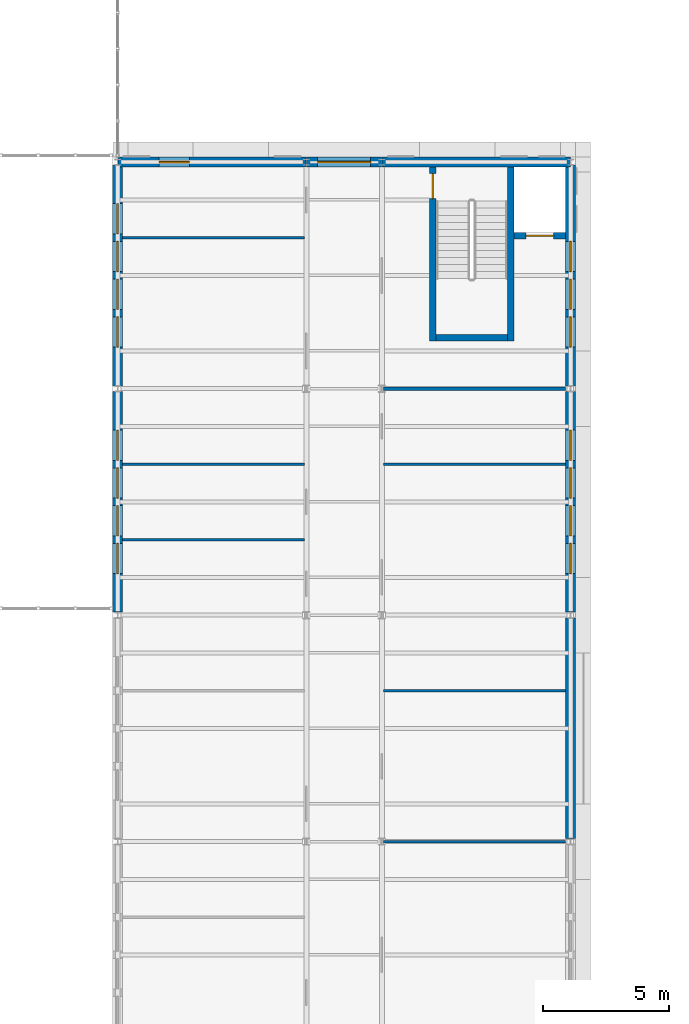
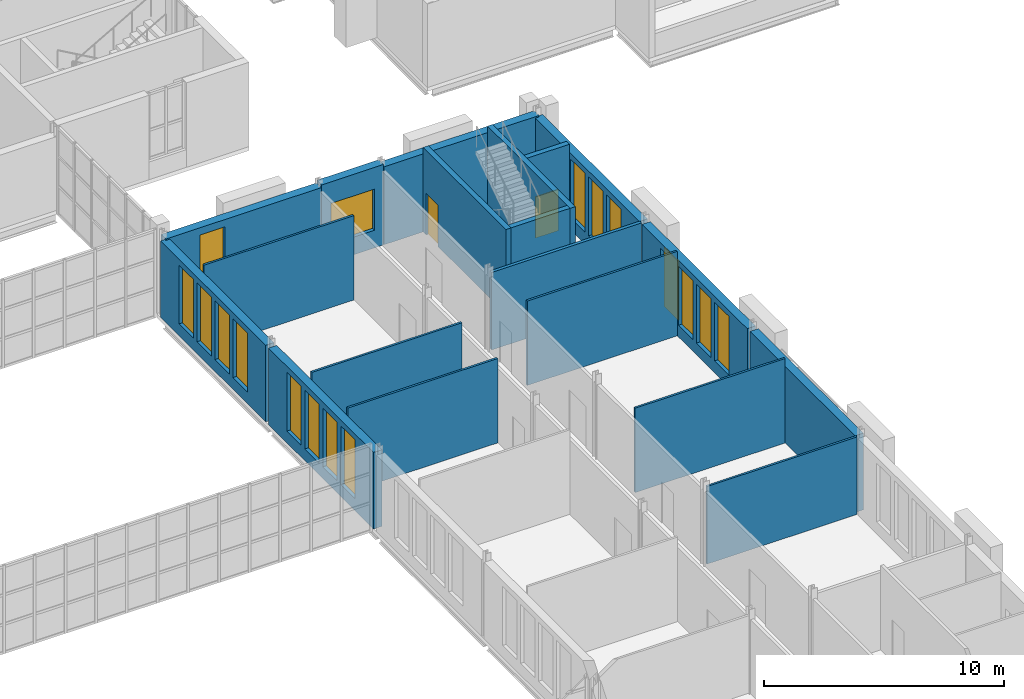
# One storey, part 80 of 131: 19 walls, 17 windows, 2 doors, 19 openings.
"""IFC4 building model written with IfcOpenShell, lengths in metres."""

from ifc_helpers import new_model, si_unit, direction, frame, frame_2d, origin, place, context, subcontext, project, spatial, rectangle, extrude, material, layer, layer_set, type_object, element, fill, save


model = new_model("IFC4")

# Units and contexts
model_context = context("Model", 3, precision=1e-05, world=origin(), true_north=direction((0.0, 1.0)))
body_context = subcontext(model_context, "Body", "Model", "MODEL_VIEW")
ifc_project = project(units=[si_unit("LENGTHUNIT", "METRE"), si_unit("AREAUNIT", "SQUARE_METRE"), si_unit("VOLUMEUNIT", "CUBIC_METRE"), si_unit("PLANEANGLEUNIT", "RADIAN"), si_unit("MASSUNIT", "GRAM", prefix="KILO")], contexts=[model_context])

# Site, building, storey
site_placement = place(None, origin())
site = spatial("IfcSite", under=ifc_project, at=site_placement, CompositionType="ELEMENT")
building_placement = place(site_placement, origin())
building = spatial("IfcBuilding", under=site, at=building_placement, Name="Golden Quay Civic Hall", CompositionType="ELEMENT")
storey_placement = place(building_placement, frame((0.0, 0.0, 9.89990234375)))
storey = spatial("IfcBuildingStorey", under=building, at=storey_placement, Name="L02", CompositionType="ELEMENT", Elevation=9.89990234375)

# Wall
ifc_material_1 = material(Name="Concrete C40/50", Category="concrete")
ifc_layer_1 = layer(ifc_material_1, 0.25)
ifc_layer_set_1 = layer_set([ifc_layer_1], Name="Concrete core wall 250, Concrete C40/50")
wall_type_1 = type_object("IfcWallType", Name="Concrete core wall 250", PredefinedType="SHEAR", material=ifc_layer_set_1)
wall_1_placement = place(storey_placement, frame((114.625, 46.89990234375, 0.0), z_axis=(0.0, 0.0, 1.0), x_axis=(0.0, 1.0, 0.0)))
element("IfcWall", 1, at=wall_1_placement, inside=storey, type_object=wall_type_1, Name="Core wall EM-N-W1", PredefinedType="SHEAR", context=body_context, shape_type="SweptSolid", body=[
    extrude(rectangle(XDim=6.900146484375, YDim=0.25, at=frame_2d((3.4501953125, 0.0))), origin(), (0.0, 0.0, 1.0), 4.300048828125),
])

# Wall, opening, door
wall_2_placement = place(storey_placement, frame((111.52490234375, 46.89990234375, 0.0), z_axis=(0.0, 0.0, 1.0), x_axis=(0.0, 1.0, 0.0)))
wall_2 = element("IfcWall", 2, at=wall_2_placement, inside=storey, type_object=wall_type_1, Name="Core wall EM-N-W2", PredefinedType="SHEAR", context=body_context, shape_type="SweptSolid", body=[
    extrude(rectangle(XDim=6.900146484375, YDim=0.25, at=frame_2d((3.4501953125, 0.0))), origin(), (0.0, 0.0, 1.0), 4.300048828125),
])
opening_1_placement = place(wall_2_placement, frame((5.64990234375, 0.0, 0.0)))
opening_1 = element("IfcOpeningElement", 3, at=opening_1_placement, cuts=wall_2, Name="Opening L02-D126", PredefinedType="OPENING", context=body_context, shape_type="SweptSolid", body=[
    extrude(rectangle(XDim=1.0, YDim=2.10009765625, at=frame_2d((0.5, 1.050048828125))), frame((0.0, 0.135009765625, 0.0), z_axis=(0.0, -1.0, 0.0), x_axis=(1.0, 0.0, 0.0)), (0.0, 0.0, 1.0), 0.27001953125),
])
ifc_material_2 = material(Name="Steel", Category="steel")
door_type_1 = type_object("IfcDoorType", Name="Steel fire door FD60 1000 x 2100", OperationType="SINGLE_SWING_LEFT", PredefinedType="DOOR", material=ifc_material_2)
door_1_placement = place(opening_1_placement, frame((1.0, 0.0, 0.0), z_axis=(0.0, 0.0, 1.0), x_axis=(-1.0, 0.0, 0.0)))
door_1 = element("IfcDoor", 4, at=door_1_placement, inside=storey, type_object=door_type_1, Name="Door L02-D126", OperationType="SINGLE_SWING_RIGHT", OverallHeight=2.10009765625, OverallWidth=1.0, PredefinedType="DOOR", context=body_context, shape_type="SweptSolid", body=[
    extrude(rectangle(XDim=1.0, YDim=2.10009765625, at=frame_2d((0.5, 1.050048828125))), frame((0.0, 0.025146484375, 0.0), z_axis=(0.0, -1.0, 0.0), x_axis=(1.0, 0.0, 0.0)), (0.0, 0.0, 1.0), 0.050048828125),
])
fill(opening_1, door_1)

# Wall
wall_3_placement = place(storey_placement, frame((111.64990234375, 47.02490234375, 0.0), z_axis=(0.0, 0.0, 1.0), x_axis=(1.0, 0.0, 0.0)))
element("IfcWall", 5, at=wall_3_placement, inside=storey, type_object=wall_type_1, Name="Core wall EM-N-W3", PredefinedType="SHEAR", context=body_context, shape_type="SweptSolid", body=[
    extrude(rectangle(XDim=2.85009765625, YDim=0.25, at=frame_2d((1.425048828125, 0.0))), origin(), (0.0, 0.0, 1.0), 4.300048828125),
])

# Wall, opening, door
wall_4_placement = place(storey_placement, frame((114.75, 51.074951171875, 0.0), z_axis=(0.0, 0.0, 1.0), x_axis=(1.0, 0.0, 0.0)))
wall_4 = element("IfcWall", 6, at=wall_4_placement, inside=storey, type_object=wall_type_1, Name="Core wall EM-N-W4", PredefinedType="SHEAR", context=body_context, shape_type="SweptSolid", body=[
    extrude(rectangle(XDim=2.050048828125, YDim=0.25, at=frame_2d((1.02490234375, 0.0))), origin(), (0.0, 0.0, 1.0), 4.300048828125),
])
opening_2_placement = place(wall_4_placement, frame((0.47509765625, 0.0, 0.0)))
opening_2 = element("IfcOpeningElement", 7, at=opening_2_placement, cuts=wall_4, Name="Opening L02-D129", PredefinedType="OPENING", context=body_context, shape_type="SweptSolid", body=[
    extrude(rectangle(XDim=1.10009765625, YDim=2.10009765625, at=frame_2d((0.550048828125, 1.050048828125))), frame((0.0, 0.135009765625, 0.0), z_axis=(0.0, -1.0, 0.0), x_axis=(1.0, 0.0, 0.0)), (0.0, 0.0, 1.0), 0.27001953125),
])
ifc_material_3 = material(Name="Steel", Category="steel")
door_type_2 = type_object("IfcDoorType", Name="Lift landing door 1100 x 2100", OperationType="SLIDING_TO_LEFT", PredefinedType="DOOR", material=ifc_material_3)
door_2_placement = place(opening_2_placement, origin())
door_2 = element("IfcDoor", 8, at=door_2_placement, inside=storey, type_object=door_type_2, Name="Lift landing door L02-D129 EM-N", OperationType="SLIDING_TO_LEFT", OverallHeight=2.10009765625, OverallWidth=1.10009765625, PredefinedType="DOOR", context=body_context, shape_type="SweptSolid", body=[
    extrude(rectangle(XDim=1.10009765625, YDim=2.10009765625, at=frame_2d((0.550048828125, 1.050048828125))), frame((0.0, 0.02490234375, 0.0), z_axis=(0.0, -1.0, 0.0), x_axis=(1.0, 0.0, 0.0)), (0.0, 0.0, 1.0), 0.050048828125),
])
fill(opening_2, door_2)

# Walls
ifc_material_4 = material(Name="Plasterboard on steel studs", Category="steel")
ifc_layer_2 = layer(ifc_material_4, 0.10009765625)
ifc_layer_set_2 = layer_set([ifc_layer_2], Name="Partition 100 stud")
wall_type_2 = type_object("IfcWallType", Name="Partition 100 stud", PredefinedType="PARTITIONING", material=ifc_layer_set_2)
wall_5_placement = place(storey_placement, frame((109.574951171875, 27.0, 0.0), z_axis=(0.0, 0.0, 1.0), x_axis=(1.0, 0.0, 0.0)))
element("IfcWall", 9, at=wall_5_placement, inside=storey, type_object=wall_type_2, Name="Partition L02-001", PredefinedType="PARTITIONING", context=body_context, shape_type="SweptSolid", body=[
    extrude(rectangle(XDim=7.22509765625, YDim=0.10009765625, at=frame_2d((3.612548828125, 0.0))), origin(), (0.0, 0.0, 1.0), 3.9501953125),
])
for number, where, z_axis, x_axis, name in (
    (10, (109.574951171875, 33.0, 0.0), (0.0, 0.0, 1.0), (1.0, 0.0, 0.0), "Partition L02-002"),
    (11, (109.574951171875, 42.0, 0.0), (0.0, 0.0, 1.0), (1.0, 0.0, 0.0), "Partition L02-003"),
    (12, (99.199951171875, 39.0, 0.0), (0.0, 0.0, 1.0), (1.0, 0.0, 0.0), "Partition L02-010"),
    (13, (99.199951171875, 42.0, 0.0), (0.0, 0.0, 1.0), (1.0, 0.0, 0.0), "Partition L02-011"),
    (14, (99.199951171875, 51.0, 0.0), (0.0, 0.0, 1.0), (1.0, 0.0, 0.0), "Partition L02-012"),
):
    element("IfcWall", number, at=place(storey_placement, frame(where, z_axis=z_axis, x_axis=x_axis)), inside=storey, type_object=wall_type_2, Name=name, PredefinedType="PARTITIONING", context=body_context, shape_type="SweptSolid", body=[
        extrude(rectangle(XDim=7.22509765625, YDim=0.10009765625, at=frame_2d((3.612548828125, 0.0))), origin(), (0.0, 0.0, 1.0), 4.300048828125),
    ])
ifc_material_5 = material(Name="Plasterboard on steel studs", Category="steel")
ifc_layer_3 = layer(ifc_material_5, 0.14990234375)
ifc_layer_set_3 = layer_set([ifc_layer_3], Name="Partition 150 stud fire EI 60")
wall_type_3 = type_object("IfcWallType", Name="Partition 150 stud fire EI 60", PredefinedType="PARTITIONING", material=ifc_layer_set_3)
wall_6_placement = place(storey_placement, frame((109.574951171875, 45.0, 0.0), z_axis=(0.0, 0.0, 1.0), x_axis=(1.0, 0.0, 0.0)))
element("IfcWall", 15, at=wall_6_placement, inside=storey, type_object=wall_type_3, Name="Partition L02-004", PredefinedType="PARTITIONING", context=body_context, shape_type="SweptSolid", body=[
    extrude(rectangle(XDim=7.22509765625, YDim=0.14990234375, at=frame_2d((3.612548828125, 0.0))), origin(), (0.0, 0.0, 1.0), 3.9501953125),
])

# Wall, openings, windows
ifc_material_6 = material(Name="Clay block, rendered, cream")
ifc_layer_4 = layer(ifc_material_6, 0.39990234375)
ifc_layer_set_4 = layer_set([ifc_layer_4], Name="Rendered block external wall 400")
wall_type_4 = type_object("IfcWallType", Name="Rendered block external wall 400", PredefinedType="STANDARD", material=ifc_layer_set_4)
wall_7_placement = place(storey_placement, frame((99.0, 36.114990234375, 0.0), z_axis=(0.0, 0.0, 1.0), x_axis=(0.0, 1.0, 0.0)))
wall_7 = element("IfcWall", 16, at=wall_7_placement, inside=storey, type_object=wall_type_4, Name="Rendered block external wall 400 L02 39", PredefinedType="STANDARD", context=body_context, shape_type="SweptSolid", body=[
    extrude(rectangle(XDim=8.77001953125, YDim=0.39990234375, at=frame_2d((4.385009765625, 0.0))), origin(), (0.0, 0.0, 1.0), 3.900146484375),
])
opening_3_placement = place(wall_7_placement, frame((1.534912109375, 0.0, 0.60009765625)))
opening_3 = element("IfcOpeningElement", 17, at=opening_3_placement, cuts=wall_7, Name="Opening WN5", PredefinedType="OPENING", context=body_context, shape_type="SweptSolid", body=[
    extrude(rectangle(XDim=1.199951171875, YDim=3.0, at=frame_2d((0.60009765625, 1.5))), frame((0.0, 0.2099609375, 0.0), z_axis=(0.0, -1.0, 0.0), x_axis=(1.0, 0.0, 0.0)), (0.0, 0.0, 1.0), 0.419921875),
])
opening_4_placement = place(wall_7_placement, frame((3.034912109375, 0.0, 0.60009765625)))
opening_4 = element("IfcOpeningElement", 18, at=opening_4_placement, cuts=wall_7, Name="Opening WN5", PredefinedType="OPENING", context=body_context, shape_type="SweptSolid", body=[
    extrude(rectangle(XDim=1.199951171875, YDim=3.0, at=frame_2d((0.60009765625, 1.5))), frame((0.0, 0.2099609375, 0.0), z_axis=(0.0, -1.0, 0.0), x_axis=(1.0, 0.0, 0.0)), (0.0, 0.0, 1.0), 0.419921875),
])
opening_5_placement = place(wall_7_placement, frame((4.534912109375, 0.0, 0.60009765625)))
opening_5 = element("IfcOpeningElement", 19, at=opening_5_placement, cuts=wall_7, Name="Opening WN5", PredefinedType="OPENING", context=body_context, shape_type="SweptSolid", body=[
    extrude(rectangle(XDim=1.199951171875, YDim=3.0, at=frame_2d((0.60009765625, 1.5))), frame((0.0, 0.2099609375, 0.0), z_axis=(0.0, -1.0, 0.0), x_axis=(1.0, 0.0, 0.0)), (0.0, 0.0, 1.0), 0.419921875),
])
opening_6_placement = place(wall_7_placement, frame((6.034912109375, 0.0, 0.60009765625)))
opening_6 = element("IfcOpeningElement", 20, at=opening_6_placement, cuts=wall_7, Name="Opening WN5", PredefinedType="OPENING", context=body_context, shape_type="SweptSolid", body=[
    extrude(rectangle(XDim=1.199951171875, YDim=3.0, at=frame_2d((0.60009765625, 1.5))), frame((0.0, 0.2099609375, 0.0), z_axis=(0.0, -1.0, 0.0), x_axis=(1.0, 0.0, 0.0)), (0.0, 0.0, 1.0), 0.419921875),
])
ifc_material_7 = material(Name="Aluminium frame, double glazed", Category="aluminium")
window_type_1 = type_object("IfcWindowType", Name="Golden grid window 1200 x 3000", PartitioningType="SINGLE_PANEL", PredefinedType="WINDOW", material=ifc_material_7)
window_1_placement = place(opening_3_placement, origin())
window_1 = element("IfcWindow", 21, at=window_1_placement, inside=storey, type_object=window_type_1, Name="Golden grid window 1200 x 3000 L02 91", OverallHeight=3.0, OverallWidth=1.199951171875, PartitioningType="SINGLE_PANEL", PredefinedType="WINDOW", context=body_context, shape_type="SweptSolid", body=[
    extrude(rectangle(XDim=1.199951171875, YDim=3.0, at=frame_2d((0.60009765625, 1.5))), frame((0.0, 0.030029296875, 0.0), z_axis=(0.0, -1.0, 0.0), x_axis=(1.0, 0.0, 0.0)), (0.0, 0.0, 1.0), 0.06005859375),
])
fill(opening_3, window_1)
window_2_placement = place(opening_4_placement, origin())
window_2 = element("IfcWindow", 22, at=window_2_placement, inside=storey, type_object=window_type_1, Name="Golden grid window 1200 x 3000 L02 92", OverallHeight=3.0, OverallWidth=1.199951171875, PartitioningType="SINGLE_PANEL", PredefinedType="WINDOW", context=body_context, shape_type="SweptSolid", body=[
    extrude(rectangle(XDim=1.199951171875, YDim=3.0, at=frame_2d((0.60009765625, 1.5))), frame((0.0, 0.030029296875, 0.0), z_axis=(0.0, -1.0, 0.0), x_axis=(1.0, 0.0, 0.0)), (0.0, 0.0, 1.0), 0.06005859375),
])
fill(opening_4, window_2)
window_3_placement = place(opening_5_placement, origin())
window_3 = element("IfcWindow", 23, at=window_3_placement, inside=storey, type_object=window_type_1, Name="Golden grid window 1200 x 3000 L02 93", OverallHeight=3.0, OverallWidth=1.199951171875, PartitioningType="SINGLE_PANEL", PredefinedType="WINDOW", context=body_context, shape_type="SweptSolid", body=[
    extrude(rectangle(XDim=1.199951171875, YDim=3.0, at=frame_2d((0.60009765625, 1.5))), frame((0.0, 0.030029296875, 0.0), z_axis=(0.0, -1.0, 0.0), x_axis=(1.0, 0.0, 0.0)), (0.0, 0.0, 1.0), 0.06005859375),
])
fill(opening_5, window_3)
window_4_placement = place(opening_6_placement, origin())
window_4 = element("IfcWindow", 24, at=window_4_placement, inside=storey, type_object=window_type_1, Name="Golden grid window 1200 x 3000 L02 94", OverallHeight=3.0, OverallWidth=1.199951171875, PartitioningType="SINGLE_PANEL", PredefinedType="WINDOW", context=body_context, shape_type="SweptSolid", body=[
    extrude(rectangle(XDim=1.199951171875, YDim=3.0, at=frame_2d((0.60009765625, 1.5))), frame((0.0, 0.030029296875, 0.0), z_axis=(0.0, -1.0, 0.0), x_axis=(1.0, 0.0, 0.0)), (0.0, 0.0, 1.0), 0.06005859375),
])
fill(opening_6, window_4)

wall_8_placement = place(storey_placement, frame((99.0, 45.114990234375, 0.0), z_axis=(0.0, 0.0, 1.0), x_axis=(0.0, 1.0, 0.0)))
wall_8 = element("IfcWall", 25, at=wall_8_placement, inside=storey, type_object=wall_type_4, Name="Rendered block external wall 400 L02 40", PredefinedType="STANDARD", context=body_context, shape_type="SweptSolid", body=[
    extrude(rectangle(XDim=8.77001953125, YDim=0.39990234375, at=frame_2d((4.385009765625, 0.0))), origin(), (0.0, 0.0, 1.0), 3.900146484375),
])
opening_7_placement = place(wall_8_placement, frame((1.534912109375, 0.0, 0.60009765625)))
opening_7 = element("IfcOpeningElement", 26, at=opening_7_placement, cuts=wall_8, Name="Opening WN5", PredefinedType="OPENING", context=body_context, shape_type="SweptSolid", body=[
    extrude(rectangle(XDim=1.199951171875, YDim=3.0, at=frame_2d((0.60009765625, 1.5))), frame((0.0, 0.2099609375, 0.0), z_axis=(0.0, -1.0, 0.0), x_axis=(1.0, 0.0, 0.0)), (0.0, 0.0, 1.0), 0.419921875),
])
opening_8_placement = place(wall_8_placement, frame((3.034912109375, 0.0, 0.60009765625)))
opening_8 = element("IfcOpeningElement", 27, at=opening_8_placement, cuts=wall_8, Name="Opening WN5", PredefinedType="OPENING", context=body_context, shape_type="SweptSolid", body=[
    extrude(rectangle(XDim=1.199951171875, YDim=3.0, at=frame_2d((0.60009765625, 1.5))), frame((0.0, 0.2099609375, 0.0), z_axis=(0.0, -1.0, 0.0), x_axis=(1.0, 0.0, 0.0)), (0.0, 0.0, 1.0), 0.419921875),
])
opening_9_placement = place(wall_8_placement, frame((4.534912109375, 0.0, 0.60009765625)))
opening_9 = element("IfcOpeningElement", 28, at=opening_9_placement, cuts=wall_8, Name="Opening WN5", PredefinedType="OPENING", context=body_context, shape_type="SweptSolid", body=[
    extrude(rectangle(XDim=1.199951171875, YDim=3.0, at=frame_2d((0.60009765625, 1.5))), frame((0.0, 0.2099609375, 0.0), z_axis=(0.0, -1.0, 0.0), x_axis=(1.0, 0.0, 0.0)), (0.0, 0.0, 1.0), 0.419921875),
])
opening_10_placement = place(wall_8_placement, frame((6.034912109375, 0.0, 0.60009765625)))
opening_10 = element("IfcOpeningElement", 29, at=opening_10_placement, cuts=wall_8, Name="Opening WN5", PredefinedType="OPENING", context=body_context, shape_type="SweptSolid", body=[
    extrude(rectangle(XDim=1.199951171875, YDim=3.0, at=frame_2d((0.60009765625, 1.5))), frame((0.0, 0.2099609375, 0.0), z_axis=(0.0, -1.0, 0.0), x_axis=(1.0, 0.0, 0.0)), (0.0, 0.0, 1.0), 0.419921875),
])
window_5_placement = place(opening_7_placement, origin())
window_5 = element("IfcWindow", 30, at=window_5_placement, inside=storey, type_object=window_type_1, Name="Golden grid window 1200 x 3000 L02 95", OverallHeight=3.0, OverallWidth=1.199951171875, PartitioningType="SINGLE_PANEL", PredefinedType="WINDOW", context=body_context, shape_type="SweptSolid", body=[
    extrude(rectangle(XDim=1.199951171875, YDim=3.0, at=frame_2d((0.60009765625, 1.5))), frame((0.0, 0.030029296875, 0.0), z_axis=(0.0, -1.0, 0.0), x_axis=(1.0, 0.0, 0.0)), (0.0, 0.0, 1.0), 0.06005859375),
])
fill(opening_7, window_5)
window_6_placement = place(opening_8_placement, origin())
window_6 = element("IfcWindow", 31, at=window_6_placement, inside=storey, type_object=window_type_1, Name="Golden grid window 1200 x 3000 L02 96", OverallHeight=3.0, OverallWidth=1.199951171875, PartitioningType="SINGLE_PANEL", PredefinedType="WINDOW", context=body_context, shape_type="SweptSolid", body=[
    extrude(rectangle(XDim=1.199951171875, YDim=3.0, at=frame_2d((0.60009765625, 1.5))), frame((0.0, 0.030029296875, 0.0), z_axis=(0.0, -1.0, 0.0), x_axis=(1.0, 0.0, 0.0)), (0.0, 0.0, 1.0), 0.06005859375),
])
fill(opening_8, window_6)
window_7_placement = place(opening_9_placement, origin())
window_7 = element("IfcWindow", 32, at=window_7_placement, inside=storey, type_object=window_type_1, Name="Golden grid window 1200 x 3000 L02 97", OverallHeight=3.0, OverallWidth=1.199951171875, PartitioningType="SINGLE_PANEL", PredefinedType="WINDOW", context=body_context, shape_type="SweptSolid", body=[
    extrude(rectangle(XDim=1.199951171875, YDim=3.0, at=frame_2d((0.60009765625, 1.5))), frame((0.0, 0.030029296875, 0.0), z_axis=(0.0, -1.0, 0.0), x_axis=(1.0, 0.0, 0.0)), (0.0, 0.0, 1.0), 0.06005859375),
])
fill(opening_9, window_7)
window_8_placement = place(opening_10_placement, origin())
window_8 = element("IfcWindow", 33, at=window_8_placement, inside=storey, type_object=window_type_1, Name="Golden grid window 1200 x 3000 L02 98", OverallHeight=3.0, OverallWidth=1.199951171875, PartitioningType="SINGLE_PANEL", PredefinedType="WINDOW", context=body_context, shape_type="SweptSolid", body=[
    extrude(rectangle(XDim=1.199951171875, YDim=3.0, at=frame_2d((0.60009765625, 1.5))), frame((0.0, 0.030029296875, 0.0), z_axis=(0.0, -1.0, 0.0), x_axis=(1.0, 0.0, 0.0)), (0.0, 0.0, 1.0), 0.06005859375),
])
fill(opening_10, window_8)

# Wall, opening, window
wall_9_placement = place(storey_placement, frame((99.0087890625, 54.0, 0.0), z_axis=(0.0, 0.0, 1.0), x_axis=(1.0, 0.0, 0.0)))
wall_9 = element("IfcWall", 34, at=wall_9_placement, inside=storey, type_object=wall_type_4, Name="Rendered block external wall 400 L02 41", PredefinedType="STANDARD", context=body_context, shape_type="SweptSolid", body=[
    extrude(rectangle(XDim=7.482421875, YDim=0.39990234375, at=frame_2d((3.7412109375, 0.0))), origin(), (0.0, 0.0, 1.0), 3.97021484375),
])
opening_11_placement = place(wall_9_placement, frame((1.641357421875, 0.0, 0.60009765625)))
opening_11 = element("IfcOpeningElement", 35, at=opening_11_placement, cuts=wall_9, Name="Opening WN5", PredefinedType="OPENING", context=body_context, shape_type="SweptSolid", body=[
    extrude(rectangle(XDim=1.199951171875, YDim=3.0, at=frame_2d((0.60009765625, 1.5))), frame((0.0, 0.2099609375, 0.0), z_axis=(0.0, -1.0, 0.0), x_axis=(1.0, 0.0, 0.0)), (0.0, 0.0, 1.0), 0.419921875),
])
window_9_placement = place(opening_11_placement, origin())
window_9 = element("IfcWindow", 36, at=window_9_placement, inside=storey, type_object=window_type_1, Name="Golden grid window 1200 x 3000 L02 99", OverallHeight=3.0, OverallWidth=1.199951171875, PartitioningType="SINGLE_PANEL", PredefinedType="WINDOW", context=body_context, shape_type="SweptSolid", body=[
    extrude(rectangle(XDim=1.199951171875, YDim=3.0, at=frame_2d((0.60009765625, 1.5))), frame((0.0, 0.030029296875, 0.0), z_axis=(0.0, -1.0, 0.0), x_axis=(1.0, 0.0, 0.0)), (0.0, 0.0, 1.0), 0.06005859375),
])
fill(opening_11, window_9)

wall_10_placement = place(storey_placement, frame((106.5087890625, 54.0, 0.0), z_axis=(0.0, 0.0, 1.0), x_axis=(1.0, 0.0, 0.0)))
wall_10 = element("IfcWall", 37, at=wall_10_placement, inside=storey, type_object=wall_type_4, Name="Rendered block external wall 400 L02 42", PredefinedType="STANDARD", context=body_context, shape_type="SweptSolid", body=[
    extrude(rectangle(XDim=2.982421875, YDim=0.39990234375, at=frame_2d((1.4912109375, 0.0))), origin(), (0.0, 0.0, 1.0), 4.10009765625),
])
opening_12_placement = place(wall_10_placement, frame((0.441162109375, 0.0, 0.89990234375)))
opening_12 = element("IfcOpeningElement", 38, at=opening_12_placement, cuts=wall_10, Name="Opening WN2", PredefinedType="OPENING", context=body_context, shape_type="SweptSolid", body=[
    extrude(rectangle(XDim=2.10009765625, YDim=2.10009765625, at=frame_2d((1.050048828125, 1.050048828125))), frame((0.0, 0.2099609375, 0.0), z_axis=(0.0, -1.0, 0.0), x_axis=(1.0, 0.0, 0.0)), (0.0, 0.0, 1.0), 0.419921875),
])
ifc_material_8 = material(Name="Aluminium frame, double glazed", Category="aluminium")
window_type_2 = type_object("IfcWindowType", Name="Corridor end window 2100 x 2100", PartitioningType="SINGLE_PANEL", PredefinedType="WINDOW", material=ifc_material_8)
window_10_placement = place(opening_12_placement, origin())
window_10 = element("IfcWindow", 39, at=window_10_placement, inside=storey, type_object=window_type_2, Name="Corridor end window 2100 x 2100 L02 3", OverallHeight=2.10009765625, OverallWidth=2.10009765625, PartitioningType="SINGLE_PANEL", PredefinedType="WINDOW", context=body_context, shape_type="SweptSolid", body=[
    extrude(rectangle(XDim=2.10009765625, YDim=2.10009765625, at=frame_2d((1.050048828125, 1.050048828125))), frame((0.0, 0.030029296875, 0.0), z_axis=(0.0, -1.0, 0.0), x_axis=(1.0, 0.0, 0.0)), (0.0, 0.0, 1.0), 0.06005859375),
])
fill(opening_12, window_10)

# Wall
wall_11_placement = place(storey_placement, frame((117.0, 35.885009765625, 0.0), z_axis=(0.0, 0.0, 1.0), x_axis=(0.0, -1.0, 0.0)))
element("IfcWall", 40, at=wall_11_placement, inside=storey, type_object=wall_type_4, Name="Rendered block external wall 400 L02 45", PredefinedType="STANDARD", context=body_context, shape_type="SweptSolid", body=[
    extrude(rectangle(XDim=8.77001953125, YDim=0.39990234375, at=frame_2d((4.385009765625, 0.0))), origin(), (0.0, 0.0, 1.0), 3.900146484375),
])

# Wall, openings, windows
wall_12_placement = place(storey_placement, frame((117.0, 44.885009765625, 0.0), z_axis=(0.0, 0.0, 1.0), x_axis=(0.0, -1.0, 0.0)))
wall_12 = element("IfcWall", 41, at=wall_12_placement, inside=storey, type_object=wall_type_4, Name="Rendered block external wall 400 L02 46", PredefinedType="STANDARD", context=body_context, shape_type="SweptSolid", body=[
    extrude(rectangle(XDim=8.77001953125, YDim=0.39990234375, at=frame_2d((4.385009765625, 0.0))), origin(), (0.0, 0.0, 1.0), 3.900146484375),
])
opening_13_placement = place(wall_12_placement, frame((6.034912109375, 0.0, 0.60009765625)))
opening_13 = element("IfcOpeningElement", 42, at=opening_13_placement, cuts=wall_12, Name="Opening WN5", PredefinedType="OPENING", context=body_context, shape_type="SweptSolid", body=[
    extrude(rectangle(XDim=1.199951171875, YDim=3.0, at=frame_2d((0.60009765625, 1.5))), frame((0.0, 0.2099609375, 0.0), z_axis=(0.0, -1.0, 0.0), x_axis=(1.0, 0.0, 0.0)), (0.0, 0.0, 1.0), 0.419921875),
])
opening_14_placement = place(wall_12_placement, frame((4.534912109375, 0.0, 0.60009765625)))
opening_14 = element("IfcOpeningElement", 43, at=opening_14_placement, cuts=wall_12, Name="Opening WN5", PredefinedType="OPENING", context=body_context, shape_type="SweptSolid", body=[
    extrude(rectangle(XDim=1.199951171875, YDim=3.0, at=frame_2d((0.60009765625, 1.5))), frame((0.0, 0.2099609375, 0.0), z_axis=(0.0, -1.0, 0.0), x_axis=(1.0, 0.0, 0.0)), (0.0, 0.0, 1.0), 0.419921875),
])
opening_15_placement = place(wall_12_placement, frame((3.034912109375, 0.0, 0.60009765625)))
opening_15 = element("IfcOpeningElement", 44, at=opening_15_placement, cuts=wall_12, Name="Opening WN5", PredefinedType="OPENING", context=body_context, shape_type="SweptSolid", body=[
    extrude(rectangle(XDim=1.199951171875, YDim=3.0, at=frame_2d((0.60009765625, 1.5))), frame((0.0, 0.2099609375, 0.0), z_axis=(0.0, -1.0, 0.0), x_axis=(1.0, 0.0, 0.0)), (0.0, 0.0, 1.0), 0.419921875),
])
opening_16_placement = place(wall_12_placement, frame((1.534912109375, 0.0, 0.60009765625)))
opening_16 = element("IfcOpeningElement", 45, at=opening_16_placement, cuts=wall_12, Name="Opening WN5", PredefinedType="OPENING", context=body_context, shape_type="SweptSolid", body=[
    extrude(rectangle(XDim=1.199951171875, YDim=3.0, at=frame_2d((0.60009765625, 1.5))), frame((0.0, 0.2099609375, 0.0), z_axis=(0.0, -1.0, 0.0), x_axis=(1.0, 0.0, 0.0)), (0.0, 0.0, 1.0), 0.419921875),
])
window_11_placement = place(opening_13_placement, origin())
window_11 = element("IfcWindow", 46, at=window_11_placement, inside=storey, type_object=window_type_1, Name="Golden grid window 1200 x 3000 L02 104", OverallHeight=3.0, OverallWidth=1.199951171875, PartitioningType="SINGLE_PANEL", PredefinedType="WINDOW", context=body_context, shape_type="SweptSolid", body=[
    extrude(rectangle(XDim=1.199951171875, YDim=3.0, at=frame_2d((0.60009765625, 1.5))), frame((0.0, 0.030029296875, 0.0), z_axis=(0.0, -1.0, 0.0), x_axis=(1.0, 0.0, 0.0)), (0.0, 0.0, 1.0), 0.06005859375),
])
fill(opening_13, window_11)
window_12_placement = place(opening_14_placement, origin())
window_12 = element("IfcWindow", 47, at=window_12_placement, inside=storey, type_object=window_type_1, Name="Golden grid window 1200 x 3000 L02 105", OverallHeight=3.0, OverallWidth=1.199951171875, PartitioningType="SINGLE_PANEL", PredefinedType="WINDOW", context=body_context, shape_type="SweptSolid", body=[
    extrude(rectangle(XDim=1.199951171875, YDim=3.0, at=frame_2d((0.60009765625, 1.5))), frame((0.0, 0.030029296875, 0.0), z_axis=(0.0, -1.0, 0.0), x_axis=(1.0, 0.0, 0.0)), (0.0, 0.0, 1.0), 0.06005859375),
])
fill(opening_14, window_12)
window_13_placement = place(opening_15_placement, origin())
window_13 = element("IfcWindow", 48, at=window_13_placement, inside=storey, type_object=window_type_1, Name="Golden grid window 1200 x 3000 L02 106", OverallHeight=3.0, OverallWidth=1.199951171875, PartitioningType="SINGLE_PANEL", PredefinedType="WINDOW", context=body_context, shape_type="SweptSolid", body=[
    extrude(rectangle(XDim=1.199951171875, YDim=3.0, at=frame_2d((0.60009765625, 1.5))), frame((0.0, 0.030029296875, 0.0), z_axis=(0.0, -1.0, 0.0), x_axis=(1.0, 0.0, 0.0)), (0.0, 0.0, 1.0), 0.06005859375),
])
fill(opening_15, window_13)
window_14_placement = place(opening_16_placement, origin())
window_14 = element("IfcWindow", 49, at=window_14_placement, inside=storey, type_object=window_type_1, Name="Golden grid window 1200 x 3000 L02 107", OverallHeight=3.0, OverallWidth=1.199951171875, PartitioningType="SINGLE_PANEL", PredefinedType="WINDOW", context=body_context, shape_type="SweptSolid", body=[
    extrude(rectangle(XDim=1.199951171875, YDim=3.0, at=frame_2d((0.60009765625, 1.5))), frame((0.0, 0.030029296875, 0.0), z_axis=(0.0, -1.0, 0.0), x_axis=(1.0, 0.0, 0.0)), (0.0, 0.0, 1.0), 0.06005859375),
])
fill(opening_16, window_14)

# Wall
ifc_material_9 = material(Name="Clay block, rendered, cream")
ifc_layer_5 = layer(ifc_material_9, 0.39990234375)
ifc_layer_set_5 = layer_set([ifc_layer_5], Name="Rendered block external wall 400 fire EI 60")
wall_type_5 = type_object("IfcWallType", Name="Rendered block external wall 400 fire EI 60", PredefinedType="STANDARD", material=ifc_layer_set_5)
wall_13_placement = place(storey_placement, frame((109.5087890625, 54.0, 0.0), z_axis=(0.0, 0.0, 1.0), x_axis=(1.0, 0.0, 0.0)))
element("IfcWall", 50, at=wall_13_placement, inside=storey, type_object=wall_type_5, Name="Rendered block external wall 400 fire EI 60 L02 7", PredefinedType="STANDARD", context=body_context, shape_type="SweptSolid", body=[
    extrude(rectangle(XDim=7.482421875, YDim=0.39990234375, at=frame_2d((3.7412109375, 0.0))), origin(), (0.0, 0.0, 1.0), 3.97021484375),
])

# Wall, openings, windows
wall_14_placement = place(storey_placement, frame((117.0, 53.885009765625, 0.0), z_axis=(0.0, 0.0, 1.0), x_axis=(0.0, -1.0, 0.0)))
wall_14 = element("IfcWall", 51, at=wall_14_placement, inside=storey, type_object=wall_type_5, Name="Rendered block external wall 400 fire EI 60 L02 8", PredefinedType="STANDARD", context=body_context, shape_type="SweptSolid", body=[
    extrude(rectangle(XDim=8.77001953125, YDim=0.39990234375, at=frame_2d((4.385009765625, 0.0))), origin(), (0.0, 0.0, 1.0), 3.900146484375),
])
opening_17_placement = place(wall_14_placement, frame((6.034912109375, 0.0, 0.60009765625)))
opening_17 = element("IfcOpeningElement", 52, at=opening_17_placement, cuts=wall_14, Name="Opening WN5", PredefinedType="OPENING", context=body_context, shape_type="SweptSolid", body=[
    extrude(rectangle(XDim=1.199951171875, YDim=3.0, at=frame_2d((0.60009765625, 1.5))), frame((0.0, 0.2099609375, 0.0), z_axis=(0.0, -1.0, 0.0), x_axis=(1.0, 0.0, 0.0)), (0.0, 0.0, 1.0), 0.419921875),
])
opening_18_placement = place(wall_14_placement, frame((4.534912109375, 0.0, 0.60009765625)))
opening_18 = element("IfcOpeningElement", 53, at=opening_18_placement, cuts=wall_14, Name="Opening WN5", PredefinedType="OPENING", context=body_context, shape_type="SweptSolid", body=[
    extrude(rectangle(XDim=1.199951171875, YDim=3.0, at=frame_2d((0.60009765625, 1.5))), frame((0.0, 0.2099609375, 0.0), z_axis=(0.0, -1.0, 0.0), x_axis=(1.0, 0.0, 0.0)), (0.0, 0.0, 1.0), 0.419921875),
])
opening_19_placement = place(wall_14_placement, frame((3.034912109375, 0.0, 0.60009765625)))
opening_19 = element("IfcOpeningElement", 54, at=opening_19_placement, cuts=wall_14, Name="Opening WN5", PredefinedType="OPENING", context=body_context, shape_type="SweptSolid", body=[
    extrude(rectangle(XDim=1.199951171875, YDim=3.0, at=frame_2d((0.60009765625, 1.5))), frame((0.0, 0.2099609375, 0.0), z_axis=(0.0, -1.0, 0.0), x_axis=(1.0, 0.0, 0.0)), (0.0, 0.0, 1.0), 0.419921875),
])
window_15_placement = place(opening_17_placement, origin())
window_15 = element("IfcWindow", 55, at=window_15_placement, inside=storey, type_object=window_type_1, Name="Golden grid window 1200 x 3000 L02 108", OverallHeight=3.0, OverallWidth=1.199951171875, PartitioningType="SINGLE_PANEL", PredefinedType="WINDOW", context=body_context, shape_type="SweptSolid", body=[
    extrude(rectangle(XDim=1.199951171875, YDim=3.0, at=frame_2d((0.60009765625, 1.5))), frame((0.0, 0.030029296875, 0.0), z_axis=(0.0, -1.0, 0.0), x_axis=(1.0, 0.0, 0.0)), (0.0, 0.0, 1.0), 0.06005859375),
])
fill(opening_17, window_15)
window_16_placement = place(opening_18_placement, origin())
window_16 = element("IfcWindow", 56, at=window_16_placement, inside=storey, type_object=window_type_1, Name="Golden grid window 1200 x 3000 L02 109", OverallHeight=3.0, OverallWidth=1.199951171875, PartitioningType="SINGLE_PANEL", PredefinedType="WINDOW", context=body_context, shape_type="SweptSolid", body=[
    extrude(rectangle(XDim=1.199951171875, YDim=3.0, at=frame_2d((0.60009765625, 1.5))), frame((0.0, 0.030029296875, 0.0), z_axis=(0.0, -1.0, 0.0), x_axis=(1.0, 0.0, 0.0)), (0.0, 0.0, 1.0), 0.06005859375),
])
fill(opening_18, window_16)
window_17_placement = place(opening_19_placement, origin())
window_17 = element("IfcWindow", 57, at=window_17_placement, inside=storey, type_object=window_type_1, Name="Golden grid window 1200 x 3000 L02 110", OverallHeight=3.0, OverallWidth=1.199951171875, PartitioningType="SINGLE_PANEL", PredefinedType="WINDOW", context=body_context, shape_type="SweptSolid", body=[
    extrude(rectangle(XDim=1.199951171875, YDim=3.0, at=frame_2d((0.60009765625, 1.5))), frame((0.0, 0.030029296875, 0.0), z_axis=(0.0, -1.0, 0.0), x_axis=(1.0, 0.0, 0.0)), (0.0, 0.0, 1.0), 0.06005859375),
])
fill(opening_19, window_17)

save(model, "model.ifc")
